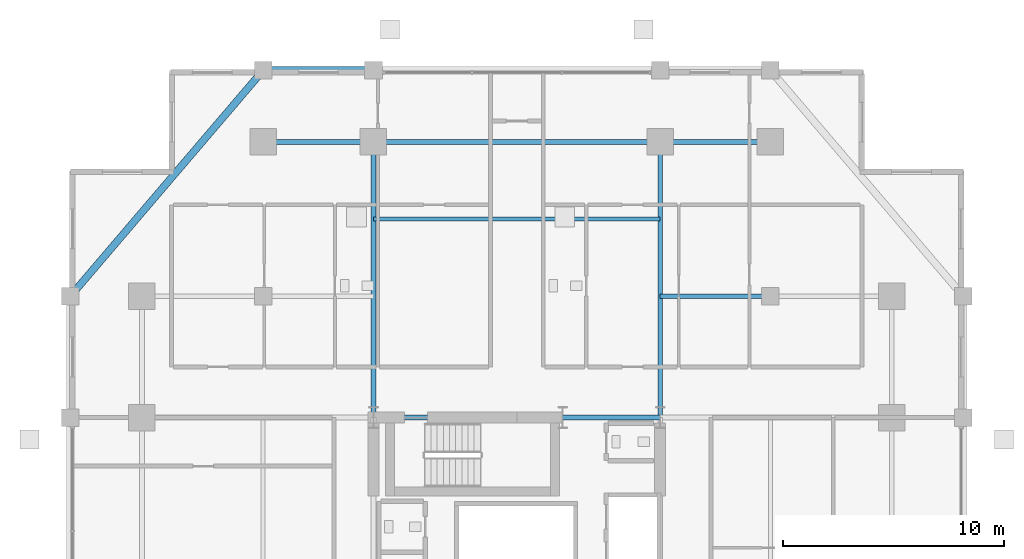
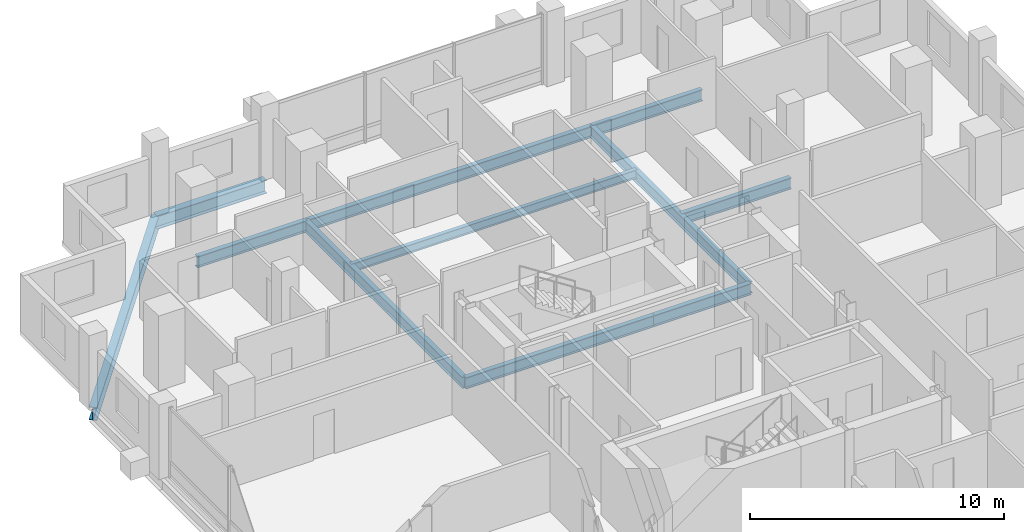
# One storey, part 9 of 20: 11 beams.
"""IFC4 building model written with IfcOpenShell, lengths in metres."""

from ifc_helpers import new_model, si_unit, direction, frame, origin, origin_2d, place, context, subcontext, project, spatial, i_section, extrude, material, material_profile, profile_set, type_object, element, save


model = new_model("IFC4")

# Units and contexts
model_context = context("Model", 3, precision=1e-05, world=origin(), true_north=direction((0.0, 1.0)))
body_context = subcontext(model_context, "Body", "Model", "MODEL_VIEW")
ifc_project = project(units=[si_unit("LENGTHUNIT", "METRE"), si_unit("AREAUNIT", "SQUARE_METRE"), si_unit("VOLUMEUNIT", "CUBIC_METRE"), si_unit("PLANEANGLEUNIT", "RADIAN"), si_unit("MASSUNIT", "GRAM", prefix="KILO")], contexts=[model_context])

# Site, building, storey
site_placement = place(None, origin())
site = spatial("IfcSite", under=ifc_project, at=site_placement, CompositionType="ELEMENT")
building_placement = place(site_placement, origin())
building = spatial("IfcBuilding", under=site, at=building_placement, Name="Barlavira Tower and Art Museum", CompositionType="ELEMENT")
storey_placement = place(building_placement, frame((0.0, 0.0, 147.60009765625)))
storey = spatial("IfcBuildingStorey", under=building, at=storey_placement, Name="L37", CompositionType="ELEMENT", Elevation=147.60009765625)

# Beams
ifc_material = material(Name="Steel S355", Category="steel")
ifc_material_profile_1 = material_profile(ifc_material, i_section(OverallWidth=0.327880859375, OverallDepth=0.62890625, WebThickness=0.013916015625, FlangeThickness=0.021484375, at=origin_2d()), Name="W610x174.0")
ifc_profile_set_1 = profile_set([ifc_material_profile_1], Name="Steel S355")
beam_type_1 = type_object("IfcBeamType", Name="Perimeter Spandrel Edge Beam W610x174 Steel S355", PredefinedType="SPANDREL", material=ifc_profile_set_1)
beam_1_placement = place(storey_placement, frame((-11.5, 23.25, -0.53466796875), z_axis=(1.0, 0.0, 0.0), x_axis=(0.0, 1.0, 0.0)))
element("IfcBeam", 1, at=beam_1_placement, inside=storey, type_object=beam_type_1, Name="L37 Spandrel 11", PredefinedType="SPANDREL", context=body_context, shape_type="SweptSolid", body=[
    extrude(i_section(OverallWidth=0.327880859375, OverallDepth=0.62890625, WebThickness=0.013916015625, FlangeThickness=0.021484375, at=origin_2d()), origin(), (0.0, 0.0, 1.0), 5.0),
])
beam_2_placement = place(storey_placement, frame((-11.5, 23.25, -0.53466796875), z_axis=(-0.649262379928, -0.760564502202, 0.0), x_axis=(0.760564502202, -0.649262379928, 0.0)))
element("IfcBeam", 2, at=beam_2_placement, inside=storey, type_object=beam_type_1, Name="L37 Spandrel 12", PredefinedType="SPANDREL", context=body_context, shape_type="SweptSolid", body=[
    extrude(i_section(OverallWidth=0.327880859375, OverallDepth=0.62890625, WebThickness=0.013916015625, FlangeThickness=0.021484375, at=origin_2d()), origin(), (0.0, 0.0, 1.0), 13.476806640625),
])
ifc_material_profile_2 = material_profile(ifc_material, i_section(OverallWidth=0.214111328125, OverallDepth=0.549072265625, WebThickness=0.0146484375, FlangeThickness=0.023681640625, at=origin_2d()), Name="W530x138.0")
ifc_profile_set_2 = profile_set([ifc_material_profile_2], Name="Steel S355")
beam_type_2 = type_object("IfcBeamType", Name="Zone 1 Primary Floor Girder W530x138 Steel S355", PredefinedType="BEAM", material=ifc_profile_set_2)
beam_3_placement = place(storey_placement, frame((-6.5, 7.5, -0.49462890625), z_axis=(1.0, 0.0, 0.0), x_axis=(0.0, 1.0, 0.0)))
element("IfcBeam", 3, at=beam_3_placement, inside=storey, type_object=beam_type_2, Name="L37 Girder C-N1", PredefinedType="BEAM", context=body_context, shape_type="SweptSolid", body=[
    extrude(i_section(OverallWidth=0.214111328125, OverallDepth=0.549072265625, WebThickness=0.0146484375, FlangeThickness=0.023681640625, at=origin_2d()), origin(), (0.0, 0.0, 1.0), 8.580078125),
])
beam_4_placement = place(storey_placement, frame((2.080078125, 7.5, -0.49462890625), z_axis=(1.0, 0.0, 0.0), x_axis=(0.0, 1.0, 0.0)))
element("IfcBeam", 4, at=beam_4_placement, inside=storey, type_object=beam_type_2, Name="L37 Girder C-N2", PredefinedType="BEAM", context=body_context, shape_type="SweptSolid", body=[
    extrude(i_section(OverallWidth=0.214111328125, OverallDepth=0.549072265625, WebThickness=0.0146484375, FlangeThickness=0.023681640625, at=origin_2d()), origin(), (0.0, 0.0, 1.0), 4.419921875),
])
beam_5_placement = place(storey_placement, frame((-11.5, 20.0, -0.49462890625), z_axis=(1.0, 0.0, 0.0), x_axis=(0.0, 1.0, 0.0)))
element("IfcBeam", 5, at=beam_5_placement, inside=storey, type_object=beam_type_2, Name="L37 Girder M-N1", PredefinedType="BEAM", context=body_context, shape_type="SweptSolid", body=[
    extrude(i_section(OverallWidth=0.214111328125, OverallDepth=0.549072265625, WebThickness=0.0146484375, FlangeThickness=0.023681640625, at=origin_2d()), origin(), (0.0, 0.0, 1.0), 5.0),
])
beam_6_placement = place(storey_placement, frame((-6.5, 20.0, -0.49462890625), z_axis=(1.0, 0.0, 0.0), x_axis=(0.0, 1.0, 0.0)))
element("IfcBeam", 6, at=beam_6_placement, inside=storey, type_object=beam_type_2, Name="L37 Girder M-N2", PredefinedType="BEAM", context=body_context, shape_type="SweptSolid", body=[
    extrude(i_section(OverallWidth=0.214111328125, OverallDepth=0.549072265625, WebThickness=0.0146484375, FlangeThickness=0.023681640625, at=origin_2d()), origin(), (0.0, 0.0, 1.0), 13.0),
])
beam_7_placement = place(storey_placement, frame((6.5, 20.0, -0.49462890625), z_axis=(1.0, 0.0, 0.0), x_axis=(0.0, 1.0, 0.0)))
element("IfcBeam", 7, at=beam_7_placement, inside=storey, type_object=beam_type_2, Name="L37 Girder M-N3", PredefinedType="BEAM", context=body_context, shape_type="SweptSolid", body=[
    extrude(i_section(OverallWidth=0.214111328125, OverallDepth=0.549072265625, WebThickness=0.0146484375, FlangeThickness=0.023681640625, at=origin_2d()), origin(), (0.0, 0.0, 1.0), 5.0),
])
for number, where, z_axis, x_axis, name in (
    (8, (-6.5, 7.5, -0.49462890625), (0.0, 1.0, 0.0), (-1.0, 0.0, 0.0), "L37 Girder R-N1"),
    (9, (6.5, 7.5, -0.49462890625), (0.0, 1.0, 0.0), (-1.0, 0.0, 0.0), "L37 Girder R-N2"),
):
    element("IfcBeam", number, at=place(storey_placement, frame(where, z_axis=z_axis, x_axis=x_axis)), inside=storey, type_object=beam_type_2, Name=name, PredefinedType="BEAM", context=body_context, shape_type="SweptSolid", body=[
        extrude(i_section(OverallWidth=0.214111328125, OverallDepth=0.549072265625, WebThickness=0.0146484375, FlangeThickness=0.023681640625, at=origin_2d()), origin(), (0.0, 0.0, 1.0), 12.5),
    ])
beam_8_placement = place(storey_placement, frame((6.5, 13.0, -0.49462890625), z_axis=(1.0, 0.0, 0.0), x_axis=(0.0, 1.0, 0.0)))
element("IfcBeam", 10, at=beam_8_placement, inside=storey, type_object=beam_type_2, Name="L37 Girder I-N3", PredefinedType="BEAM", context=body_context, shape_type="SweptSolid", body=[
    extrude(i_section(OverallWidth=0.214111328125, OverallDepth=0.549072265625, WebThickness=0.0146484375, FlangeThickness=0.023681640625, at=origin_2d()), origin(), (0.0, 0.0, 1.0), 5.0),
])
ifc_material_profile_3 = material_profile(ifc_material, i_section(OverallWidth=0.179931640625, OverallDepth=0.4130859375, WebThickness=0.009765625, FlangeThickness=0.01611328125, at=origin_2d()), Name="W410x75.0")
ifc_profile_set_3 = profile_set([ifc_material_profile_3], Name="Steel S355")
beam_type_3 = type_object("IfcBeamType", Name="Zone 2 Composite Floor Joist W410x75 Steel S355", PredefinedType="JOIST", material=ifc_profile_set_3)
beam_9_placement = place(storey_placement, frame((-6.5, 16.5, -0.426513671875), z_axis=(1.0, 0.0, 0.0), x_axis=(0.0, 1.0, 0.0)))
element("IfcBeam", 11, at=beam_9_placement, inside=storey, type_object=beam_type_3, Name="L37 Joist C2", PredefinedType="JOIST", context=body_context, shape_type="SweptSolid", body=[
    extrude(i_section(OverallWidth=0.179931640625, OverallDepth=0.4130859375, WebThickness=0.009765625, FlangeThickness=0.01611328125, at=origin_2d()), origin(), (0.0, 0.0, 1.0), 13.0),
])

save(model, "model.ifc")
